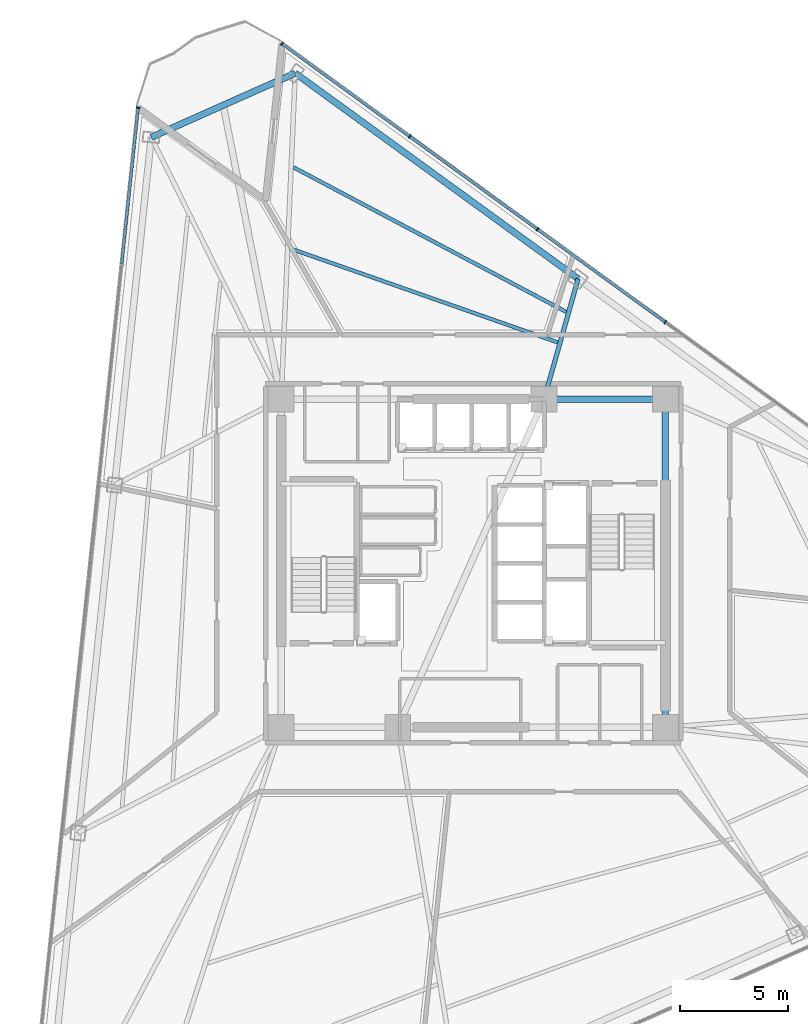
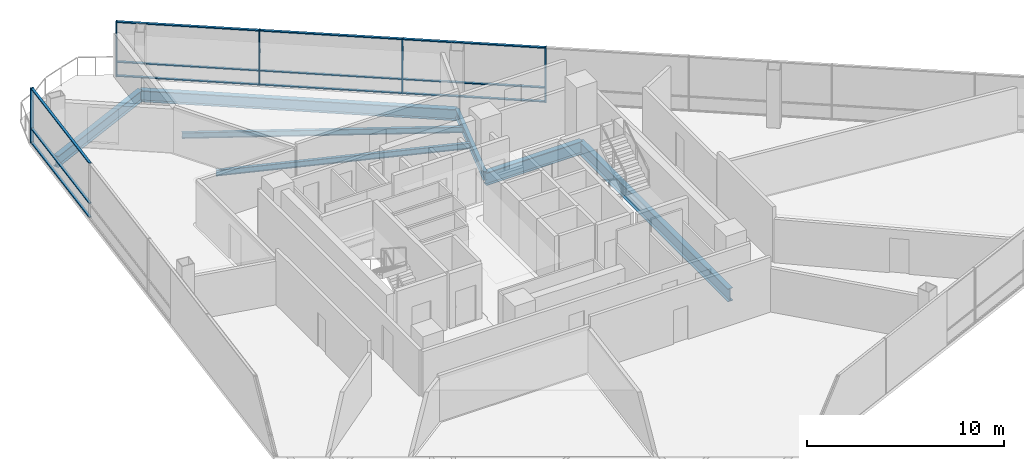
# One storey, part 8 of 19: 17 members, 7 beams, 2 elements without a shape of their own.
"""IFC4 building model written with IfcOpenShell, lengths in metres."""

from ifc_helpers import new_model, si_unit, direction, frame, origin, origin_2d, place, context, subcontext, project, spatial, rectangle, i_section, extrude, material, layer, layer_set, material_profile, profile_set, type_object, element, aggregate, save


model = new_model("IFC4")

# Units and contexts
model_context = context("Model", 3, precision=1e-05, world=origin(), true_north=direction((0.0, 1.0)))
body_context = subcontext(model_context, "Body", "Model", "MODEL_VIEW")
ifc_project = project(units=[si_unit("LENGTHUNIT", "METRE"), si_unit("AREAUNIT", "SQUARE_METRE"), si_unit("VOLUMEUNIT", "CUBIC_METRE"), si_unit("PLANEANGLEUNIT", "RADIAN"), si_unit("MASSUNIT", "GRAM", prefix="KILO")], contexts=[model_context])

# Site, building, storey
site_placement = place(None, origin())
site = spatial("IfcSite", under=ifc_project, at=site_placement, CompositionType="ELEMENT")
building_placement = place(site_placement, origin())
building = spatial("IfcBuilding", under=site, at=building_placement, Name="Tharavind Bronze Gate", CompositionType="ELEMENT")
storey_placement = place(building_placement, frame((0.0, 0.0, 116.050048828125)))
storey = spatial("IfcBuildingStorey", under=building, at=storey_placement, Name="L29", CompositionType="ELEMENT", Elevation=116.050048828125)

# Curtain wall, member
ifc_material_1 = material(Name="Anodised Bronze Aluminium", Category="aluminium")
ifc_layer = layer(ifc_material_1, 0.219970703125)
ifc_layer_set = layer_set([ifc_layer], Name="Anodised Bronze Aluminium")
curtain_wall_type = type_object("IfcCurtainWallType", Name="UNITISED CURTAIN WALL LOWER OFFICE", PredefinedType="USERDEFINED", material=ifc_layer_set)
curtain_wall_1_placement = place(storey_placement, origin())
curtain_wall_1 = element("IfcCurtainWall", 1, at=curtain_wall_1_placement, inside=storey, type_object=curtain_wall_type, Name="L29 unitised curtain wall lower office CW-L29-S1", ObjectType="UNITISED CURTAIN WALL", PredefinedType="USERDEFINED")
member_type_1 = type_object("IfcMemberType", Name="CURTAIN WALL BRONZE MULLION 65X180", PredefinedType="MULLION", material=ifc_material_1)
member_1_placement = place(storey_placement, frame((-15.527587890625, 21.101806640625, 0.0), z_axis=(0.0, 0.0, 1.0), x_axis=(-0.104526727499, -0.994522077803, 0.0)))
member_1 = element("IfcMember", 2, at=member_1_placement, type_object=member_type_1, Name="CW-L29-S1 mullion 1", PredefinedType="MULLION", context=body_context, shape_type="SweptSolid", body=[
    extrude(rectangle(XDim=0.06494140625, YDim=0.179931640625, at=origin_2d()), origin(), (0.0, 0.0, 1.0), 3.409912109375),
])

# Curtain wall, members
curtain_wall_2_placement = place(storey_placement, origin())
curtain_wall_2 = element("IfcCurtainWall", 3, at=curtain_wall_2_placement, inside=storey, type_object=curtain_wall_type, Name="L29 unitised curtain wall lower office CW-L29-S3", ObjectType="UNITISED CURTAIN WALL", PredefinedType="USERDEFINED")
member_2_placement = place(storey_placement, frame((8.89111328125, 11.1748046875, 0.0), z_axis=(0.0, 0.0, 1.0), x_axis=(-0.809016994375, 0.587785252292, 0.0)))
member_2 = element("IfcMember", 4, at=member_2_placement, type_object=member_type_1, Name="CW-L29-S3 mullion 5", PredefinedType="MULLION", context=body_context, shape_type="SweptSolid", body=[
    extrude(rectangle(XDim=0.06494140625, YDim=0.179931640625, at=origin_2d()), origin(), (0.0, 0.0, 1.0), 3.409912109375),
])
member_3_placement = place(storey_placement, frame((2.974609375, 15.473388671875, 0.0), z_axis=(0.0, 0.0, 1.0), x_axis=(-0.809016994375, 0.587785252292, 0.0)))
member_3 = element("IfcMember", 5, at=member_3_placement, type_object=member_type_1, Name="CW-L29-S3 mullion 6", PredefinedType="MULLION", context=body_context, shape_type="SweptSolid", body=[
    extrude(rectangle(XDim=0.06494140625, YDim=0.179931640625, at=origin_2d()), origin(), (0.0, 0.0, 1.0), 3.409912109375),
])
member_4_placement = place(storey_placement, frame((-2.942138671875, 19.772216796875, 0.0), z_axis=(0.0, 0.0, 1.0), x_axis=(-0.809016994375, 0.587785252292, 0.0)))
member_4 = element("IfcMember", 6, at=member_4_placement, type_object=member_type_1, Name="CW-L29-S3 mullion 7", PredefinedType="MULLION", context=body_context, shape_type="SweptSolid", body=[
    extrude(rectangle(XDim=0.06494140625, YDim=0.179931640625, at=origin_2d()), origin(), (0.0, 0.0, 1.0), 3.409912109375),
])
member_5_placement = place(storey_placement, frame((-8.85888671875, 24.07080078125, 0.0), z_axis=(0.0, 0.0, 1.0), x_axis=(-0.809016994375, 0.587785252292, 0.0)))
member_5 = element("IfcMember", 7, at=member_5_placement, type_object=member_type_1, Name="CW-L29-S3 mullion 8", PredefinedType="MULLION", context=body_context, shape_type="SweptSolid", body=[
    extrude(rectangle(XDim=0.06494140625, YDim=0.179931640625, at=origin_2d()), origin(), (0.0, 0.0, 1.0), 3.409912109375),
])

# Member
member_type_2 = type_object("IfcMemberType", Name="CURTAIN WALL BRONZE TRANSOM 65X140", PredefinedType="USERDEFINED", material=ifc_material_1)
member_6_placement = place(storey_placement, frame((-15.909912109375, 17.465087890625, 0.0), z_axis=(0.0, 0.0, 1.0), x_axis=(-0.104526727499, -0.994522077803, 0.0)))
member_6 = element("IfcMember", 8, at=member_6_placement, type_object=member_type_2, Name="CW-L29-S1 transom TB1", ObjectType="TRANSOM", PredefinedType="USERDEFINED", context=body_context, shape_type="SweptSolid", body=[
    extrude(rectangle(XDim=7.26025390625, YDim=0.139892578125, at=origin_2d()), origin(), (0.0, 0.0, 1.0), 0.06494140625),
])

member_7_placement = place(storey_placement, frame((-15.909912109375, 17.465087890625, 0.867431640625), z_axis=(0.0, 0.0, 1.0), x_axis=(-0.104526727499, -0.994522077803, 0.0)))
member_7 = element("IfcMember", 9, at=member_7_placement, type_object=member_type_2, Name="CW-L29-S1 transom TS1", ObjectType="TRANSOM", PredefinedType="USERDEFINED", context=body_context, shape_type="SweptSolid", body=[
    extrude(rectangle(XDim=7.26025390625, YDim=0.139892578125, at=origin_2d()), origin(), (0.0, 0.0, 1.0), 0.06494140625),
])

member_8_placement = place(storey_placement, frame((-15.909912109375, 17.465087890625, 3.344970703125), z_axis=(0.0, 0.0, 1.0), x_axis=(-0.104526727499, -0.994522077803, 0.0)))
member_8 = element("IfcMember", 10, at=member_8_placement, type_object=member_type_2, Name="CW-L29-S1 transom TT1", ObjectType="TRANSOM", PredefinedType="USERDEFINED", context=body_context, shape_type="SweptSolid", body=[
    extrude(rectangle(XDim=7.26025390625, YDim=0.139892578125, at=origin_2d()), origin(), (0.0, 0.0, 1.0), 0.06494140625),
])

aggregate(curtain_wall_1, [member_1, member_6, member_7, member_8])

member_9_placement = place(storey_placement, frame((5.932861328125, 13.32421875, 0.0), z_axis=(0.0, 0.0, 1.0), x_axis=(-0.809016994375, 0.587785252292, 0.0)))
member_9 = element("IfcMember", 11, at=member_9_placement, type_object=member_type_2, Name="CW-L29-S3 transom TB5", ObjectType="TRANSOM", PredefinedType="USERDEFINED", context=body_context, shape_type="SweptSolid", body=[
    extrude(rectangle(XDim=7.260498046875, YDim=0.139892578125, at=origin_2d()), origin(), (0.0, 0.0, 1.0), 0.06494140625),
])

member_10_placement = place(storey_placement, frame((5.932861328125, 13.32421875, 0.867431640625), z_axis=(0.0, 0.0, 1.0), x_axis=(-0.809016994375, 0.587785252292, 0.0)))
member_10 = element("IfcMember", 12, at=member_10_placement, type_object=member_type_2, Name="CW-L29-S3 transom TS5", ObjectType="TRANSOM", PredefinedType="USERDEFINED", context=body_context, shape_type="SweptSolid", body=[
    extrude(rectangle(XDim=7.260498046875, YDim=0.139892578125, at=origin_2d()), origin(), (0.0, 0.0, 1.0), 0.06494140625),
])

member_11_placement = place(storey_placement, frame((5.932861328125, 13.32421875, 3.344970703125), z_axis=(0.0, 0.0, 1.0), x_axis=(-0.809016994375, 0.587785252292, 0.0)))
member_11 = element("IfcMember", 13, at=member_11_placement, type_object=member_type_2, Name="CW-L29-S3 transom TT5", ObjectType="TRANSOM", PredefinedType="USERDEFINED", context=body_context, shape_type="SweptSolid", body=[
    extrude(rectangle(XDim=7.260498046875, YDim=0.139892578125, at=origin_2d()), origin(), (0.0, 0.0, 1.0), 0.06494140625),
])

member_12_placement = place(storey_placement, frame((0.01611328125, 17.622802734375, 0.0), z_axis=(0.0, 0.0, 1.0), x_axis=(-0.809016994375, 0.587785252292, 0.0)))
member_12 = element("IfcMember", 14, at=member_12_placement, type_object=member_type_2, Name="CW-L29-S3 transom TB6", ObjectType="TRANSOM", PredefinedType="USERDEFINED", context=body_context, shape_type="SweptSolid", body=[
    extrude(rectangle(XDim=7.260498046875, YDim=0.139892578125, at=origin_2d()), origin(), (0.0, 0.0, 1.0), 0.06494140625),
])

member_13_placement = place(storey_placement, frame((0.01611328125, 17.622802734375, 0.867431640625), z_axis=(0.0, 0.0, 1.0), x_axis=(-0.809016994375, 0.587785252292, 0.0)))
member_13 = element("IfcMember", 15, at=member_13_placement, type_object=member_type_2, Name="CW-L29-S3 transom TS6", ObjectType="TRANSOM", PredefinedType="USERDEFINED", context=body_context, shape_type="SweptSolid", body=[
    extrude(rectangle(XDim=7.260498046875, YDim=0.139892578125, at=origin_2d()), origin(), (0.0, 0.0, 1.0), 0.06494140625),
])

member_14_placement = place(storey_placement, frame((0.01611328125, 17.622802734375, 3.344970703125), z_axis=(0.0, 0.0, 1.0), x_axis=(-0.809016994375, 0.587785252292, 0.0)))
member_14 = element("IfcMember", 16, at=member_14_placement, type_object=member_type_2, Name="CW-L29-S3 transom TT6", ObjectType="TRANSOM", PredefinedType="USERDEFINED", context=body_context, shape_type="SweptSolid", body=[
    extrude(rectangle(XDim=7.260498046875, YDim=0.139892578125, at=origin_2d()), origin(), (0.0, 0.0, 1.0), 0.06494140625),
])

member_15_placement = place(storey_placement, frame((-5.900390625, 21.921630859375, 0.0), z_axis=(0.0, 0.0, 1.0), x_axis=(-0.809016994375, 0.587785252292, 0.0)))
member_15 = element("IfcMember", 17, at=member_15_placement, type_object=member_type_2, Name="CW-L29-S3 transom TB7", ObjectType="TRANSOM", PredefinedType="USERDEFINED", context=body_context, shape_type="SweptSolid", body=[
    extrude(rectangle(XDim=7.260498046875, YDim=0.139892578125, at=origin_2d()), origin(), (0.0, 0.0, 1.0), 0.06494140625),
])

member_16_placement = place(storey_placement, frame((-5.900390625, 21.921630859375, 0.867431640625), z_axis=(0.0, 0.0, 1.0), x_axis=(-0.809016994375, 0.587785252292, 0.0)))
member_16 = element("IfcMember", 18, at=member_16_placement, type_object=member_type_2, Name="CW-L29-S3 transom TS7", ObjectType="TRANSOM", PredefinedType="USERDEFINED", context=body_context, shape_type="SweptSolid", body=[
    extrude(rectangle(XDim=7.260498046875, YDim=0.139892578125, at=origin_2d()), origin(), (0.0, 0.0, 1.0), 0.06494140625),
])

member_17_placement = place(storey_placement, frame((-5.900390625, 21.921630859375, 3.344970703125), z_axis=(0.0, 0.0, 1.0), x_axis=(-0.809016994375, 0.587785252292, 0.0)))
member_17 = element("IfcMember", 19, at=member_17_placement, type_object=member_type_2, Name="CW-L29-S3 transom TT7", ObjectType="TRANSOM", PredefinedType="USERDEFINED", context=body_context, shape_type="SweptSolid", body=[
    extrude(rectangle(XDim=7.260498046875, YDim=0.139892578125, at=origin_2d()), origin(), (0.0, 0.0, 1.0), 0.06494140625),
])

aggregate(curtain_wall_2, [member_2, member_3, member_4, member_5, member_9, member_10, member_11, member_12, member_13, member_14, member_15, member_16, member_17])

# Beams
ifc_material_2 = material(Name="Steel S355", Category="steel")
ifc_material_profile_1 = material_profile(ifc_material_2, i_section(OverallWidth=0.2099609375, OverallDepth=0.550048828125, WebThickness=0.010986328125, FlangeThickness=0.01708984375, at=origin_2d()), Name="IPE550")
ifc_profile_set_1 = profile_set([ifc_material_profile_1], Name="Steel S355")
beam_type_1 = type_object("IfcBeamType", Name="PRIMARY GIRDER IPE550", PredefinedType="USERDEFINED", material=ifc_profile_set_1)
beam_1_placement = place(storey_placement, frame((4.856201171875, 13.179443359375, -0.465087890625), z_axis=(-0.271861210874, -0.962336470275, 0.0), x_axis=(0.962336470275, -0.271861210874, 0.0)))
element("IfcBeam", 20, at=beam_1_placement, inside=storey, type_object=beam_type_1, Name="L29 primary girder ipe550 BM-L29-RAD11", ObjectType="GIRDER", PredefinedType="USERDEFINED", context=body_context, shape_type="SweptSolid", body=[
    extrude(i_section(OverallWidth=0.2099609375, OverallDepth=0.550048828125, WebThickness=0.010986328125, FlangeThickness=0.01708984375, at=origin_2d()), origin(), (0.0, 0.0, 1.0), 5.797607421875),
])
ifc_material_profile_2 = material_profile(ifc_material_2, i_section(OverallWidth=0.300048828125, OverallDepth=0.699951171875, WebThickness=0.01708984375, FlangeThickness=0.031982421875, at=origin_2d()), Name="HE700B")
ifc_profile_set_2 = profile_set([ifc_material_profile_2], Name="Steel S355")
beam_type_2 = type_object("IfcBeamType", Name="RING GIRDER HE700B", PredefinedType="USERDEFINED", material=ifc_profile_set_2)
beam_2_placement = place(storey_placement, frame((4.856201171875, 13.179443359375, -0.5400390625), z_axis=(-0.809014294341, 0.587788968553, 0.0), x_axis=(-0.587788968553, -0.809014294341, 0.0)))
element("IfcBeam", 21, at=beam_2_placement, inside=storey, type_object=beam_type_2, Name="L29 ring girder he700b BM-L29-PRG11", ObjectType="GIRDER", PredefinedType="USERDEFINED", context=body_context, shape_type="SweptSolid", body=[
    extrude(i_section(OverallWidth=0.300048828125, OverallDepth=0.699951171875, WebThickness=0.01708984375, FlangeThickness=0.031982421875, at=origin_2d()), origin(), (0.0, 0.0, 1.0), 16.198486328125),
])
beam_3_placement = place(storey_placement, frame((-8.24853515625, 22.70068359375, -0.5400390625), z_axis=(-0.913543802, -0.40674036169, 0.0), x_axis=(0.40674036169, -0.913543802, 0.0)))
element("IfcBeam", 22, at=beam_3_placement, inside=storey, type_object=beam_type_2, Name="L29 ring girder he700b BM-L29-PRG12", ObjectType="GIRDER", PredefinedType="USERDEFINED", context=body_context, shape_type="SweptSolid", body=[
    extrude(i_section(OverallWidth=0.300048828125, OverallDepth=0.699951171875, WebThickness=0.01708984375, FlangeThickness=0.031982421875, at=origin_2d()), origin(), (0.0, 0.0, 1.0), 7.300048828125),
])
ifc_material_profile_3 = material_profile(ifc_material_2, i_section(OverallWidth=0.300048828125, OverallDepth=0.800048828125, WebThickness=0.017578125, FlangeThickness=0.032958984375, at=origin_2d()), Name="HE800B")
ifc_profile_set_3 = profile_set([ifc_material_profile_3], Name="Steel S355")
beam_type_3 = type_object("IfcBeamType", Name="RING GIRDER HE800B", PredefinedType="USERDEFINED", material=ifc_profile_set_3)
beam_4_placement = place(storey_placement, frame((8.89990234375, -7.60009765625, -0.590087890625), z_axis=(0.0, 1.0, 0.0), x_axis=(-1.0, 0.0, 0.0)))
element("IfcBeam", 23, at=beam_4_placement, inside=storey, type_object=beam_type_3, Name="L29 ring girder he800b BM-L29-CR3", ObjectType="GIRDER", PredefinedType="USERDEFINED", context=body_context, shape_type="SweptSolid", body=[
    extrude(i_section(OverallWidth=0.300048828125, OverallDepth=0.800048828125, WebThickness=0.017578125, FlangeThickness=0.032958984375, at=origin_2d()), origin(), (0.0, 0.0, 1.0), 15.2001953125),
])
beam_5_placement = place(storey_placement, frame((8.89990234375, 7.60009765625, -0.590087890625), z_axis=(-1.0, 0.0, 0.0), x_axis=(0.0, -1.0, 0.0)))
element("IfcBeam", 24, at=beam_5_placement, inside=storey, type_object=beam_type_3, Name="L29 ring girder he800b BM-L29-CR4", ObjectType="GIRDER", PredefinedType="USERDEFINED", context=body_context, shape_type="SweptSolid", body=[
    extrude(i_section(OverallWidth=0.300048828125, OverallDepth=0.800048828125, WebThickness=0.017578125, FlangeThickness=0.032958984375, at=origin_2d()), origin(), (0.0, 0.0, 1.0), 5.619873046875),
])
ifc_material_profile_4 = material_profile(ifc_material_2, i_section(OverallWidth=0.169921875, OverallDepth=0.360107421875, WebThickness=0.008056640625, FlangeThickness=0.0126953125, at=origin_2d()), Name="IPE360")
ifc_profile_set_4 = profile_set([ifc_material_profile_4], Name="Steel S355")
beam_type_4 = type_object("IfcBeamType", Name="SECONDARY FLOOR JOIST IPE360", PredefinedType="JOIST", material=ifc_profile_set_4)
beam_6_placement = place(storey_placement, frame((3.909912109375, 10.230712890625, -0.3701171875), z_axis=(-0.94354019652, 0.33125805281, 0.0), x_axis=(-0.33125805281, -0.94354019652, 0.0)))
element("IfcBeam", 25, at=beam_6_placement, inside=storey, type_object=beam_type_4, Name="L29 secondary floor joist ipe360 BM-L29-JSTA11", PredefinedType="JOIST", context=body_context, shape_type="SweptSolid", body=[
    extrude(i_section(OverallWidth=0.169921875, OverallDepth=0.360107421875, WebThickness=0.008056640625, FlangeThickness=0.0126953125, at=origin_2d()), origin(), (0.0, 0.0, 1.0), 13.1416015625),
])
beam_7_placement = place(storey_placement, frame((4.30859375, 11.6416015625, -0.3701171875), z_axis=(-0.883525360926, 0.468383322291, 0.0), x_axis=(-0.468383322291, -0.883525360926, 0.0)))
element("IfcBeam", 26, at=beam_7_placement, inside=storey, type_object=beam_type_4, Name="L29 secondary floor joist ipe360 BM-L29-JSTB11", PredefinedType="JOIST", context=body_context, shape_type="SweptSolid", body=[
    extrude(i_section(OverallWidth=0.169921875, OverallDepth=0.360107421875, WebThickness=0.008056640625, FlangeThickness=0.0126953125, at=origin_2d()), origin(), (0.0, 0.0, 1.0), 14.30224609375),
])

save(model, "model.ifc")
